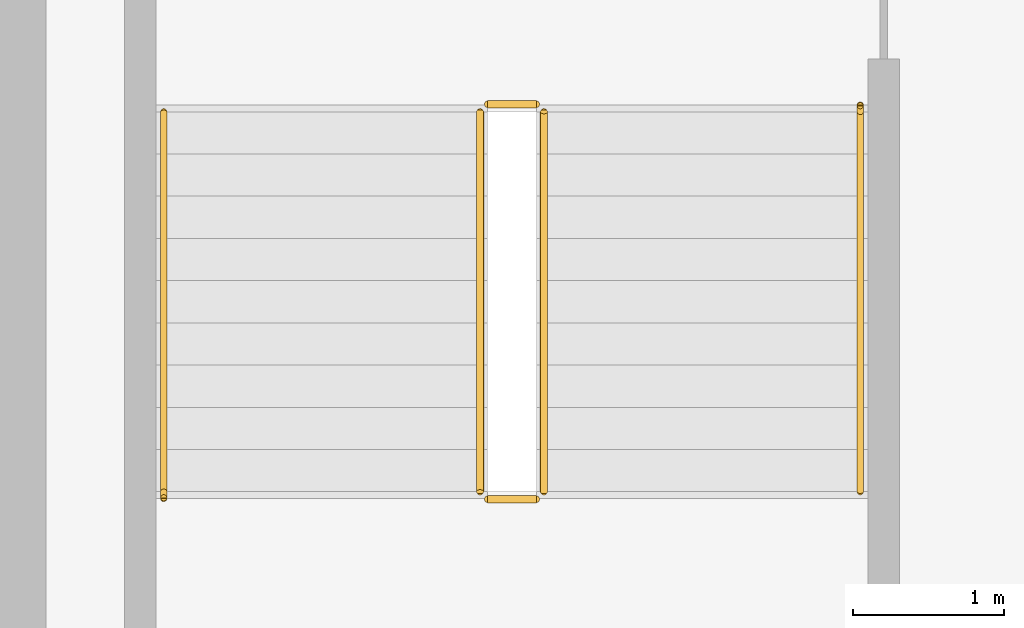
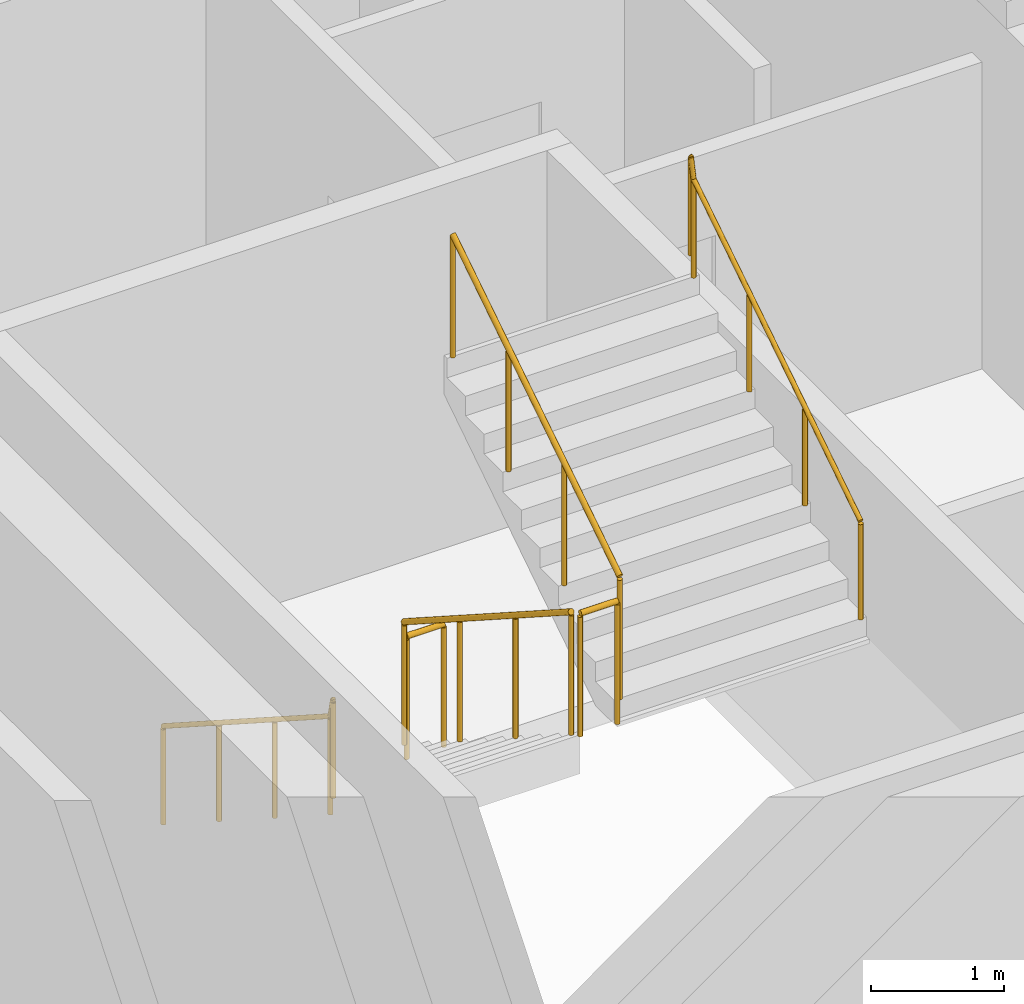
# One storey, part 5 of 7: 6 railings.
"""IFC4 building model written with IfcOpenShell, lengths in metres."""

from ifc_helpers import new_model, si_unit, direction, frame, origin, origin_2d, place, context, subcontext, project, spatial, circle, extrude, material, type_object, element, save


model = new_model("IFC4")

# Units and contexts
model_context = context("Model", 3, precision=1e-05, world=origin(), true_north=direction((0.0, 1.0)))
body_context = subcontext(model_context, "Body", "Model", "MODEL_VIEW")
ifc_project = project(units=[si_unit("LENGTHUNIT", "METRE"), si_unit("AREAUNIT", "SQUARE_METRE"), si_unit("VOLUMEUNIT", "CUBIC_METRE"), si_unit("PLANEANGLEUNIT", "RADIAN"), si_unit("MASSUNIT", "GRAM", prefix="KILO")], contexts=[model_context])

# Site, building, storey
site_placement = place(None, origin())
site = spatial("IfcSite", under=ifc_project, at=site_placement, CompositionType="ELEMENT")
building_placement = place(site_placement, origin())
building = spatial("IfcBuilding", under=site, at=building_placement, Name="Velakula Bourse", CompositionType="ELEMENT")
storey_placement = place(building_placement, frame((0.0, 0.0, 297.75)))
storey = spatial("IfcBuildingStorey", under=building, at=storey_placement, Name="L81", CompositionType="ELEMENT", Elevation=297.75)

# Railings
ifc_material = material(Name="Brushed grade 316 stainless steel", Category="steel")
railing_type_1 = type_object("IfcRailingType", Name="RLG-STAIR-GUARD-1150", PredefinedType="BALUSTRADE", material=ifc_material)
railing_1_placement = place(storey_placement, frame((-15.672119140625, -2.199951171875, 0.179931640625)))
element("IfcRailing", 1, at=railing_1_placement, inside=storey, type_object=railing_type_1, Name="L81 ST-W1 stair guard 1", PredefinedType="BALUSTRADE", context=body_context, shape_type="SweptSolid", body=[
    extrude(circle(Radius=0.02490234375, at=origin_2d()), frame((0.0, 0.0, 1.125), z_axis=(0.0, -0.841162588446, 0.540782303519), x_axis=(1.0, 0.0, 0.0)), (0.0, 0.0, 1.0), 2.995849609375),
    extrude(circle(Radius=0.02099609375, at=origin_2d()), origin(), (0.0, 0.0, 1.0), 1.099853515625),
    extrude(circle(Radius=0.02099609375, at=origin_2d()), frame((0.0, -0.840087890625, 0.5400390625)), (0.0, 0.0, 1.0), 1.099853515625),
    extrude(circle(Radius=0.02099609375, at=origin_2d()), frame((0.0, -1.679931640625, 1.080078125)), (0.0, 0.0, 1.0), 1.099853515625),
    extrude(circle(Radius=0.02099609375, at=origin_2d()), frame((0.0, -2.52001953125, 1.6201171875)), (0.0, 0.0, 1.0), 1.099853515625),
])
railing_2_placement = place(storey_placement, frame((-15.6220703125, -4.77001953125, 1.800048828125)))
element("IfcRailing", 2, at=railing_2_placement, inside=storey, type_object=railing_type_1, Name="L81 ST-W1 stair guard 2", PredefinedType="BALUSTRADE", context=body_context, shape_type="SweptSolid", body=[
    extrude(circle(Radius=0.02490234375, at=origin_2d()), frame((0.0, 0.0, 1.125), z_axis=(1.0, 0.0, 0.0), x_axis=(0.0, 1.0, 0.0)), (0.0, 0.0, 1.0), 0.323974609375),
    extrude(circle(Radius=0.02099609375, at=origin_2d()), origin(), (0.0, 0.0, 1.0), 1.099853515625),
    extrude(circle(Radius=0.02099609375, at=origin_2d()), frame((0.323974609375, 0.0, 0.0)), (0.0, 0.0, 1.0), 1.099853515625),
])
railing_3_placement = place(storey_placement, frame((-15.248046875, -4.719970703125, 1.97998046875)))
element("IfcRailing", 3, at=railing_3_placement, inside=storey, type_object=railing_type_1, Name="L81 ST-W1 stair guard 3", PredefinedType="BALUSTRADE", context=body_context, shape_type="SweptSolid", body=[
    extrude(circle(Radius=0.02490234375, at=origin_2d()), frame((0.0, 0.0, 1.125), z_axis=(0.0, 0.841162588446, 0.540782303519), x_axis=(-1.0, 0.0, 0.0)), (0.0, 0.0, 1.0), 2.995849609375),
    extrude(circle(Radius=0.02099609375, at=origin_2d()), origin(), (0.0, 0.0, 1.0), 1.099853515625),
    extrude(circle(Radius=0.02099609375, at=origin_2d()), frame((0.0, 0.840087890625, 0.5400390625)), (0.0, 0.0, 1.0), 1.099853515625),
    extrude(circle(Radius=0.02099609375, at=origin_2d()), frame((0.0, 1.679931640625, 1.080078125)), (0.0, 0.0, 1.0), 1.099853515625),
    extrude(circle(Radius=0.02099609375, at=origin_2d()), frame((0.0, 2.52001953125, 1.6201171875)), (0.0, 0.0, 1.0), 1.099853515625),
])
railing_4_placement = place(storey_placement, frame((-15.6220703125, -2.14990234375, 0.0)))
element("IfcRailing", 4, at=railing_4_placement, inside=storey, type_object=railing_type_1, Name="L81 ST-W1 stair guard 4", PredefinedType="BALUSTRADE", context=body_context, shape_type="SweptSolid", body=[
    extrude(circle(Radius=0.02490234375, at=origin_2d()), frame((0.0, 0.0, 1.125), z_axis=(1.0, 0.0, 0.0), x_axis=(0.0, 1.0, 0.0)), (0.0, 0.0, 1.0), 0.323974609375),
    extrude(circle(Radius=0.02099609375, at=origin_2d()), origin(), (0.0, 0.0, 1.0), 1.099853515625),
    extrude(circle(Radius=0.02099609375, at=origin_2d()), frame((0.323974609375, 0.0, 0.0)), (0.0, 0.0, 1.0), 1.099853515625),
])
railing_type_2 = type_object("IfcRailingType", Name="RLG-STAIR-HAND-920", PredefinedType="HANDRAIL", material=ifc_material)
railing_5_placement = place(storey_placement, frame((-17.77001953125, -2.199951171875, 0.179931640625)))
element("IfcRailing", 5, at=railing_5_placement, inside=storey, type_object=railing_type_2, Name="L81 ST-W1 stair handrail 1", PredefinedType="HANDRAIL", context=body_context, shape_type="SweptSolid", body=[
    extrude(circle(Radius=0.02099609375, at=origin_2d()), frame((0.0, 0.0, 0.89892578125), z_axis=(0.0, -0.841162588446, 0.540782303519), x_axis=(1.0, 0.0, 0.0)), (0.0, 0.0, 1.0), 2.995849609375),
    extrude(circle(Radius=0.02099609375, at=origin_2d()), frame((0.0, -2.52001953125, 2.51904296875), z_axis=(0.0, -0.217210922078, 0.976124692511), x_axis=(1.0, 0.0, 0.0)), (0.0, 0.0, 1.0), 0.184326171875),
    extrude(circle(Radius=0.02099609375, at=origin_2d()), frame((0.0, -2.56005859375, 2.698974609375), z_axis=(0.0, -1.0, 0.0), x_axis=(1.0, 0.0, 0.0)), (0.0, 0.0, 1.0), 0.0048828125),
    extrude(circle(Radius=0.02099609375, at=origin_2d()), origin(), (0.0, 0.0, 1.0), 0.8779296875),
    extrude(circle(Radius=0.02099609375, at=origin_2d()), frame((0.0, -0.840087890625, 0.5400390625)), (0.0, 0.0, 1.0), 0.8779296875),
    extrude(circle(Radius=0.02099609375, at=origin_2d()), frame((0.0, -1.679931640625, 1.080078125)), (0.0, 0.0, 1.0), 0.8779296875),
    extrude(circle(Radius=0.02099609375, at=origin_2d()), frame((0.0, -2.52001953125, 1.6201171875)), (0.0, 0.0, 1.0), 0.8779296875),
    extrude(circle(Radius=0.02099609375, at=origin_2d()), frame((0.0, -2.56005859375, 1.800048828125)), (0.0, 0.0, 1.0), 0.8779296875),
    extrude(circle(Radius=0.02099609375, at=origin_2d()), frame((0.0, -2.56494140625, 1.800048828125)), (0.0, 0.0, 1.0), 0.8779296875),
])
railing_6_placement = place(storey_placement, frame((-13.14990234375, -4.719970703125, 1.97998046875)))
element("IfcRailing", 6, at=railing_6_placement, inside=storey, type_object=railing_type_2, Name="L81 ST-W1 stair handrail 2", PredefinedType="HANDRAIL", context=body_context, shape_type="SweptSolid", body=[
    extrude(circle(Radius=0.02099609375, at=origin_2d()), frame((0.0, 0.0, 0.89892578125), z_axis=(0.0, 0.841162588446, 0.540782303519), x_axis=(-1.0, 0.0, 0.0)), (0.0, 0.0, 1.0), 2.995849609375),
    extrude(circle(Radius=0.02099609375, at=origin_2d()), frame((0.0, 2.52001953125, 2.51904296875), z_axis=(0.0, 0.217210922078, 0.976124692511), x_axis=(-1.0, 0.0, 0.0)), (0.0, 0.0, 1.0), 0.184326171875),
    extrude(circle(Radius=0.02099609375, at=origin_2d()), frame((0.0, 2.56005859375, 2.698974609375), z_axis=(0.0, 1.0, 0.0), x_axis=(-1.0, 0.0, 0.0)), (0.0, 0.0, 1.0), 0.0048828125),
    extrude(circle(Radius=0.02099609375, at=origin_2d()), origin(), (0.0, 0.0, 1.0), 0.8779296875),
    extrude(circle(Radius=0.02099609375, at=origin_2d()), frame((0.0, 0.840087890625, 0.5400390625)), (0.0, 0.0, 1.0), 0.8779296875),
    extrude(circle(Radius=0.02099609375, at=origin_2d()), frame((0.0, 1.679931640625, 1.080078125)), (0.0, 0.0, 1.0), 0.8779296875),
    extrude(circle(Radius=0.02099609375, at=origin_2d()), frame((0.0, 2.52001953125, 1.6201171875)), (0.0, 0.0, 1.0), 0.8779296875),
    extrude(circle(Radius=0.02099609375, at=origin_2d()), frame((0.0, 2.56005859375, 1.800048828125)), (0.0, 0.0, 1.0), 0.8779296875),
    extrude(circle(Radius=0.02099609375, at=origin_2d()), frame((0.0, 2.56494140625, 1.800048828125)), (0.0, 0.0, 1.0), 0.8779296875),
])

save(model, "model.ifc")
